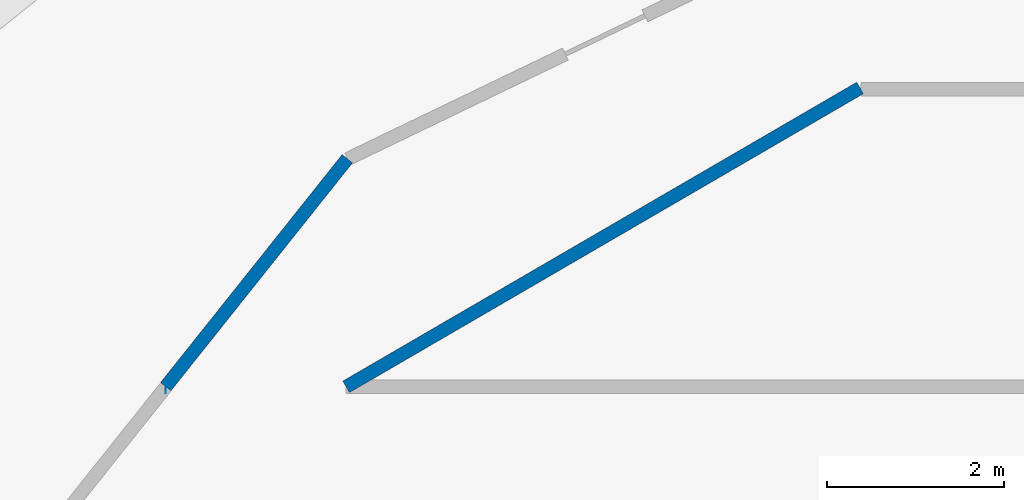
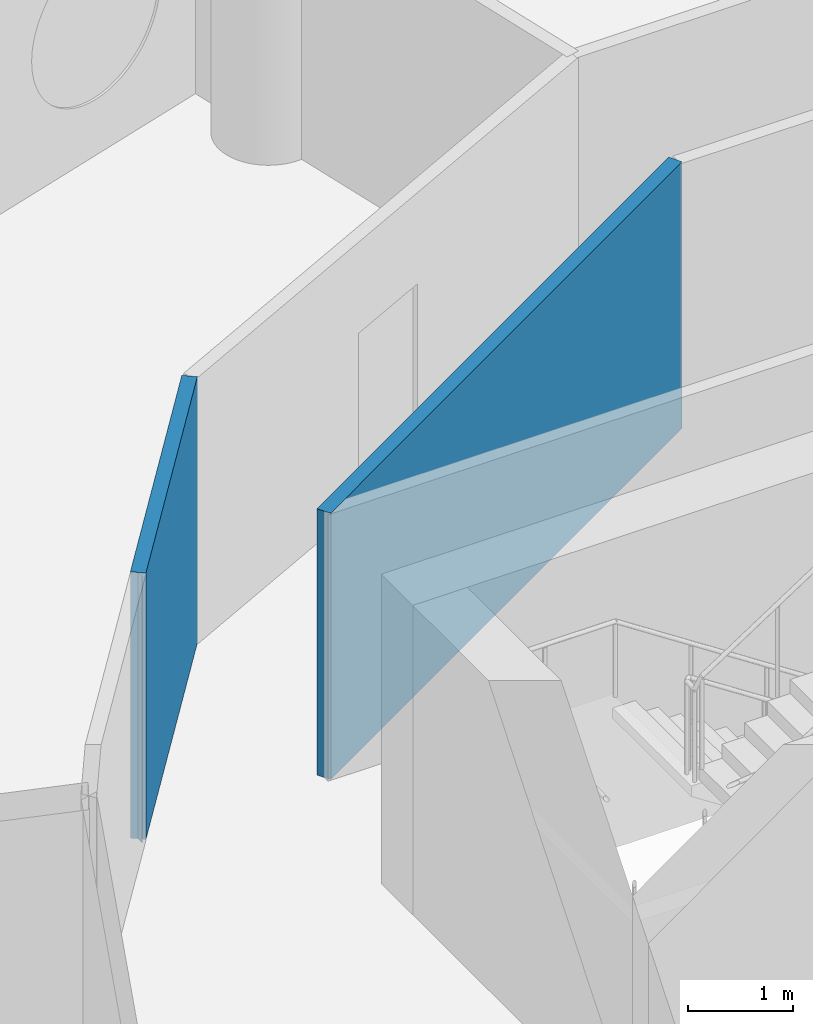
# One storey, part 7 of 13: 3 walls.
"""IFC4 building model written with IfcOpenShell, lengths in metres."""

from ifc_helpers import new_model, si_unit, direction, frame, frame_2d, origin, place, context, subcontext, project, spatial, rectangle, extrude, material, layer, layer_set, type_object, element, save


model = new_model("IFC4")

# Units and contexts
model_context = context("Model", 3, precision=1e-05, world=origin(), true_north=direction((0.0, 1.0)))
body_context = subcontext(model_context, "Body", "Model", "MODEL_VIEW")
ifc_project = project(units=[si_unit("LENGTHUNIT", "METRE"), si_unit("AREAUNIT", "SQUARE_METRE"), si_unit("VOLUMEUNIT", "CUBIC_METRE"), si_unit("PLANEANGLEUNIT", "RADIAN"), si_unit("MASSUNIT", "GRAM", prefix="KILO")], contexts=[model_context])

# Site, building, storey
site_placement = place(None, origin())
site = spatial("IfcSite", under=ifc_project, at=site_placement, CompositionType="ELEMENT")
building_placement = place(site_placement, origin())
building = spatial("IfcBuilding", under=site, at=building_placement, Name="Tracery Tower", CompositionType="ELEMENT")
storey_placement = place(building_placement, frame((0.0, 0.0, 274.199951171875)))
storey = spatial("IfcBuildingStorey", under=building, at=storey_placement, Name="L71", CompositionType="ELEMENT", Elevation=274.199951171875)

# Walls
ifc_material = material(Name="Plasterboard on steel studs", Category="steel")
ifc_layer = layer(ifc_material, 0.14990234375)
ifc_layer_set = layer_set([ifc_layer], Name="Partition 150 corridor wall")
wall_type = type_object("IfcWallType", Name="Partition 150 corridor wall", PredefinedType="PARTITIONING", material=ifc_layer_set)
wall_1_placement = place(storey_placement, frame((-9.092041015625, 8.800048828125, 0.0), z_axis=(0.0, 0.0, 1.0), x_axis=(0.864470922103, 0.502682827277, 0.0)))
element("IfcWall", 1, at=wall_1_placement, inside=storey, type_object=wall_type, Name="Corridor wall RC5-001", PredefinedType="PARTITIONING", context=body_context, shape_type="SweptSolid", body=[
    extrude(rectangle(XDim=6.7353515625, YDim=0.14990234375, at=frame_2d((3.36767578125, 0.0))), origin(), (0.0, 0.0, 1.0), 3.10009765625),
])
wall_2_placement = place(storey_placement, frame((-11.134033203125, 8.800048828125, 0.0), z_axis=(0.0, 0.0, 1.0), x_axis=(-1.0, 0.0, 0.0)))
element("IfcWall", 2, at=wall_2_placement, inside=storey, type_object=wall_type, Name="Corridor wall RC5-008", PredefinedType="PARTITIONING", context=body_context, shape_type="SweptSolid", body=[
    extrude(rectangle(XDim=0.0029296875, YDim=0.14990234375, at=frame_2d((0.00146484375, 0.0))), origin(), (0.0, 0.0, 1.0), 3.10009765625),
])
wall_3_placement = place(storey_placement, frame((-11.135986328125, 8.802001953125, 0.0), z_axis=(0.0, 0.0, 1.0), x_axis=(0.623151397235, 0.782101231379, 0.0)))
element("IfcWall", 3, at=wall_3_placement, inside=storey, type_object=wall_type, Name="Corridor wall RC5-009", PredefinedType="PARTITIONING", context=body_context, shape_type="SweptSolid", body=[
    extrude(rectangle(XDim=3.30078125, YDim=0.14990234375, at=frame_2d((1.650390625, 0.0))), origin(), (0.0, 0.0, 1.0), 3.10009765625),
])

save(model, "model.ifc")
